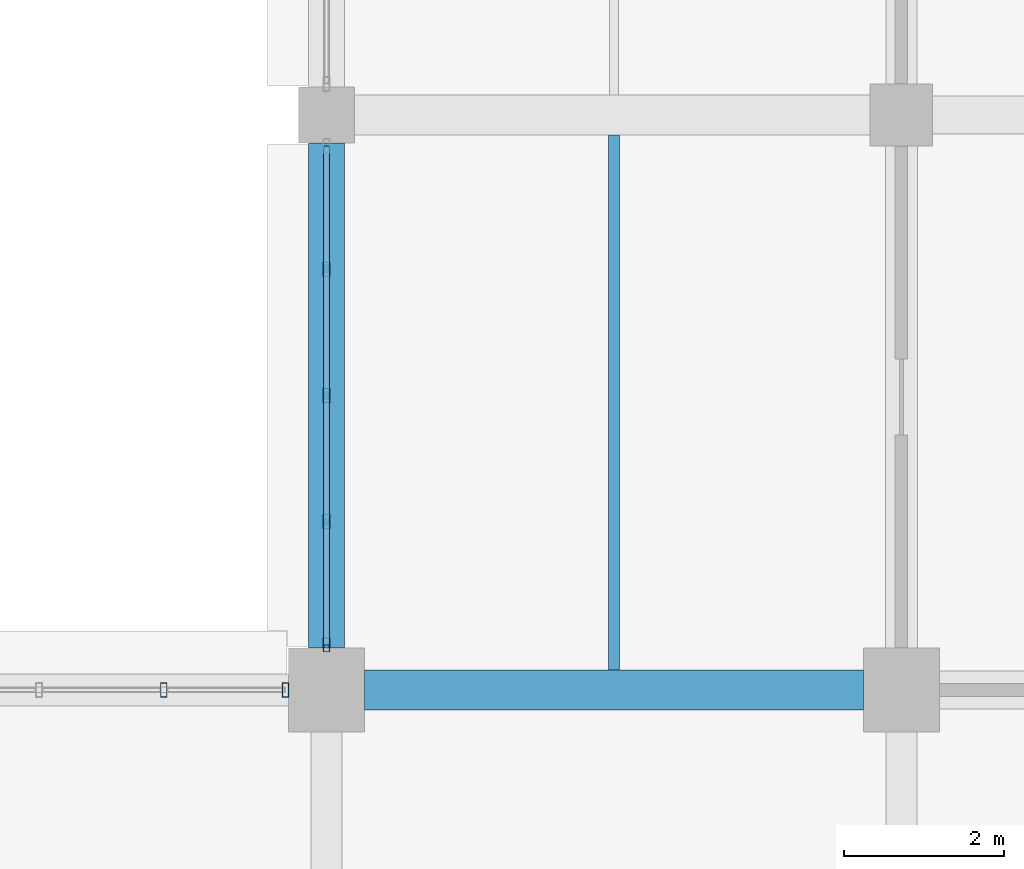
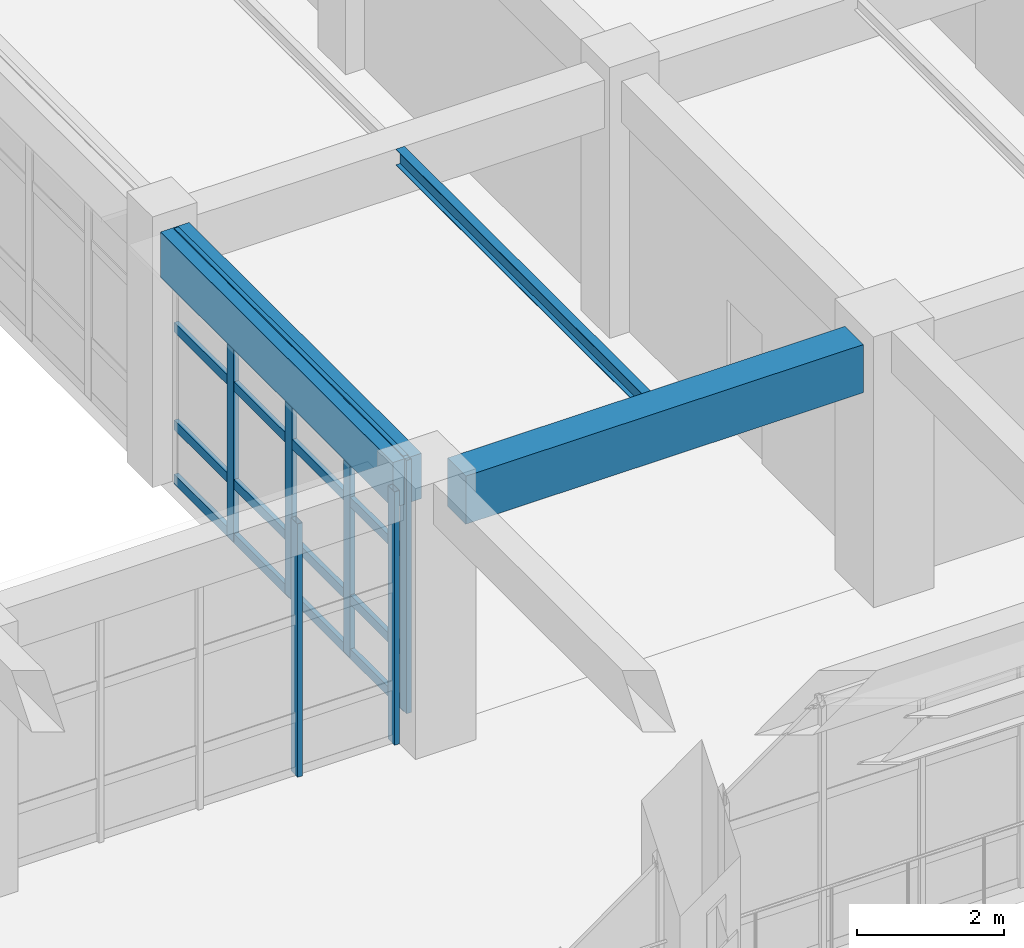
# One storey, part 97 of 171: 10 members, 3 beams, 2 elements without a shape of their own.
"""IFC4 building model written with IfcOpenShell, lengths in metres."""

from ifc_helpers import new_model, si_unit, direction, frame, origin, origin_2d, place, context, subcontext, project, spatial, rectangle, hollow_rectangle, i_section, extrude, material, material_profile, profile_set, type_object, element, aggregate, save


model = new_model("IFC4")

# Units and contexts
model_context = context("Model", 3, precision=1e-05, world=origin(), true_north=direction((0.0, 1.0)))
body_context = subcontext(model_context, "Body", "Model", "MODEL_VIEW")
ifc_project = project(units=[si_unit("LENGTHUNIT", "METRE"), si_unit("AREAUNIT", "SQUARE_METRE"), si_unit("VOLUMEUNIT", "CUBIC_METRE"), si_unit("PLANEANGLEUNIT", "RADIAN"), si_unit("MASSUNIT", "GRAM", prefix="KILO")], contexts=[model_context])

# Site, building, storey
site_placement = place(None, origin())
site = spatial("IfcSite", under=ifc_project, at=site_placement, CompositionType="ELEMENT")
building_placement = place(site_placement, origin())
building = spatial("IfcBuilding", under=site, at=building_placement, Name="Thalmaran Polytechnic", CompositionType="ELEMENT")
storey_placement = place(building_placement, frame((0.0, 0.0, 5.39990234375)))
storey = spatial("IfcBuildingStorey", under=building, at=storey_placement, Name="L01", CompositionType="ELEMENT", Elevation=5.39990234375)

# Beams
ifc_material_1 = material(Name="Concrete C40/50", Category="concrete")
ifc_material_profile_1 = material_profile(ifc_material_1, rectangle(XDim=0.5, YDim=0.800048828125, at=origin_2d()), Name="RC 500x800")
ifc_profile_set_1 = profile_set([ifc_material_profile_1], Name="Concrete C40/50")
beam_type_1 = type_object("IfcBeamType", Name="BM-RC02", PredefinedType="BEAM", material=ifc_profile_set_1)
beam_1_placement = place(storey_placement, frame((130.074951171875, 57.60009765625, 3.81005859375), z_axis=(1.0, 0.0, 0.0), x_axis=(0.0, 1.0, 0.0)))
element("IfcBeam", 1, at=beam_1_placement, inside=storey, type_object=beam_type_1, Name="Grid Beam B02 L01 X(18,8)", PredefinedType="BEAM", context=body_context, shape_type="SweptSolid", body=[
    extrude(rectangle(XDim=0.5, YDim=0.800048828125, at=origin_2d()), origin(), (0.0, 0.0, 1.0), 6.25),
])
ifc_material_2 = material(Name="Steel S355", Category="steel")
ifc_material_profile_2 = material_profile(ifc_material_2, i_section(OverallWidth=0.135009765625, OverallDepth=0.27001953125, WebThickness=0.006591796875, FlangeThickness=0.01025390625, at=origin_2d()), Name="IPE 270")
ifc_profile_set_2 = profile_set([ifc_material_profile_2], Name="Steel S355")
beam_type_2 = type_object("IfcBeamType", Name="BM-SJ03", PredefinedType="JOIST", material=ifc_profile_set_2)
beam_2_placement = place(storey_placement, frame((133.199951171875, 57.85009765625, 4.0751953125), z_axis=(0.0, 1.0, 0.0), x_axis=(-1.0, 0.0, 0.0)))
element("IfcBeam", 2, at=beam_2_placement, inside=storey, type_object=beam_type_2, Name="Secondary Floor Rib SJ03 L01 (18,8)", PredefinedType="JOIST", context=body_context, shape_type="SweptSolid", body=[
    extrude(i_section(OverallWidth=0.135009765625, OverallDepth=0.27001953125, WebThickness=0.006591796875, FlangeThickness=0.01025390625, at=origin_2d()), origin(), (0.0, 0.0, 1.0), 6.699951171875),
])
ifc_material_profile_3 = material_profile(ifc_material_1, rectangle(XDim=0.449951171875, YDim=0.7548828125, at=origin_2d()), Name="RC 450x755")
ifc_profile_set_3 = profile_set([ifc_material_profile_3], Name="Concrete C40/50")
beam_type_3 = type_object("IfcBeamType", Name="BM-SP02", PredefinedType="SPANDREL", material=ifc_profile_set_3)
beam_3_placement = place(storey_placement, frame((129.60009765625, 58.125, 3.83251953125), z_axis=(0.0, 1.0, 0.0), x_axis=(-1.0, 0.0, 0.0)))
element("IfcBeam", 3, at=beam_3_placement, inside=storey, type_object=beam_type_3, Name="Grid Beam SP02 L01 Y(18,8)", PredefinedType="SPANDREL", context=body_context, shape_type="SweptSolid", body=[
    extrude(rectangle(XDim=0.449951171875, YDim=0.7548828125, at=origin_2d()), origin(), (0.0, 0.0, 1.0), 6.324951171875),
])

# Curtain wall, members
ifc_material_3 = material(Name="Aluminium 6063-T6", Category="aluminium")
curtain_wall_type = type_object("IfcCurtainWallType", Name="CW-UC02", PredefinedType="USERDEFINED", material=ifc_material_3)
curtain_wall_1_placement = place(storey_placement, origin())
curtain_wall_1 = element("IfcCurtainWall", 4, at=curtain_wall_1_placement, inside=storey, type_object=curtain_wall_type, Name="Curtain Wall CW-L01-179", ObjectType="UNITISED CURTAIN WALL", PredefinedType="USERDEFINED")
ifc_material_profile_4 = material_profile(ifc_material_3, hollow_rectangle(XDim=0.080078125, YDim=0.179931640625, WallThickness=0.0048828125, at=origin_2d()), Name="RHS 180x80x5.0")
ifc_profile_set_4 = profile_set([ifc_material_profile_4], Name="Aluminium 6063-T6")
member_type_1 = type_object("IfcMemberType", Name="CW-MUL1", PredefinedType="MULLION", material=ifc_profile_set_4)
member_1_placement = place(storey_placement, frame((127.5625, 57.60009765625, 0.0), z_axis=(0.0, 0.0, 1.0), x_axis=(1.0, 0.0, 0.0)))
member_1 = element("IfcMember", 5, at=member_1_placement, type_object=member_type_1, Name="CW-L01-179 Mullion 4", PredefinedType="MULLION", context=body_context, shape_type="SweptSolid", body=[
    extrude(hollow_rectangle(XDim=0.080078125, YDim=0.179931640625, WallThickness=0.0048828125, at=origin_2d()), origin(), (0.0, 0.0, 1.0), 4.210205078125),
])
member_2_placement = place(storey_placement, frame((129.0849609375, 57.60009765625, 0.0), z_axis=(0.0, 0.0, 1.0), x_axis=(1.0, 0.0, 0.0)))
member_2 = element("IfcMember", 6, at=member_2_placement, type_object=member_type_1, Name="CW-L01-179 Mullion 5", PredefinedType="MULLION", context=body_context, shape_type="SweptSolid", body=[
    extrude(hollow_rectangle(XDim=0.080078125, YDim=0.179931640625, WallThickness=0.0048828125, at=origin_2d()), origin(), (0.0, 0.0, 1.0), 4.210205078125),
])
aggregate(curtain_wall_1, [member_1, member_2])

curtain_wall_2_placement = place(storey_placement, origin())
curtain_wall_2 = element("IfcCurtainWall", 7, at=curtain_wall_2_placement, inside=storey, type_object=curtain_wall_type, Name="Curtain Wall CW-L01-180", ObjectType="UNITISED CURTAIN WALL", PredefinedType="USERDEFINED")
member_3_placement = place(storey_placement, frame((129.60009765625, 58.1650390625, 0.0), z_axis=(0.0, 0.0, 1.0), x_axis=(1.0, 0.0, 0.0)))
member_3 = element("IfcMember", 8, at=member_3_placement, type_object=member_type_1, Name="CW-L01-180 Mullion 1", PredefinedType="MULLION", context=body_context, shape_type="SweptSolid", body=[
    extrude(hollow_rectangle(XDim=0.080078125, YDim=0.179931640625, WallThickness=0.0048828125, at=origin_2d()), origin(), (0.0, 0.0, 1.0), 4.210205078125),
])
member_4_placement = place(storey_placement, frame((129.60009765625, 59.706298828125, 0.0), z_axis=(0.0, 0.0, 1.0), x_axis=(1.0, 0.0, 0.0)))
member_4 = element("IfcMember", 9, at=member_4_placement, type_object=member_type_1, Name="CW-L01-180 Mullion 2", PredefinedType="MULLION", context=body_context, shape_type="SweptSolid", body=[
    extrude(hollow_rectangle(XDim=0.080078125, YDim=0.179931640625, WallThickness=0.0048828125, at=origin_2d()), origin(), (0.0, 0.0, 1.0), 4.210205078125),
])
member_5_placement = place(storey_placement, frame((129.60009765625, 61.28759765625, 0.0), z_axis=(0.0, 0.0, 1.0), x_axis=(1.0, 0.0, 0.0)))
member_5 = element("IfcMember", 10, at=member_5_placement, type_object=member_type_1, Name="CW-L01-180 Mullion 3", PredefinedType="MULLION", context=body_context, shape_type="SweptSolid", body=[
    extrude(hollow_rectangle(XDim=0.080078125, YDim=0.179931640625, WallThickness=0.0048828125, at=origin_2d()), origin(), (0.0, 0.0, 1.0), 4.210205078125),
])
member_6_placement = place(storey_placement, frame((129.60009765625, 62.86865234375, 0.0), z_axis=(0.0, 0.0, 1.0), x_axis=(1.0, 0.0, 0.0)))
member_6 = element("IfcMember", 11, at=member_6_placement, type_object=member_type_1, Name="CW-L01-180 Mullion 4", PredefinedType="MULLION", context=body_context, shape_type="SweptSolid", body=[
    extrude(hollow_rectangle(XDim=0.080078125, YDim=0.179931640625, WallThickness=0.0048828125, at=origin_2d()), origin(), (0.0, 0.0, 1.0), 4.210205078125),
])
ifc_material_profile_5 = material_profile(ifc_material_3, hollow_rectangle(XDim=0.070068359375, YDim=0.159912109375, WallThickness=0.00390625, at=origin_2d()), Name="AL 160x70x4.0")
ifc_profile_set_5 = profile_set([ifc_material_profile_5], Name="Aluminium 6063-T6")
member_type_2 = type_object("IfcMemberType", Name="CW-TRN1", PredefinedType="USERDEFINED", material=ifc_profile_set_5)
member_7_placement = place(storey_placement, frame((129.60009765625, 58.1650390625, 0.06005859375), z_axis=(0.0, 1.0, 0.0), x_axis=(-1.0, 0.0, 0.0)))
member_7 = element("IfcMember", 12, at=member_7_placement, type_object=member_type_2, Name="CW-L01-180 Transom 1", ObjectType="TRANSOM", PredefinedType="USERDEFINED", context=body_context, shape_type="SweptSolid", body=[
    extrude(hollow_rectangle(XDim=0.070068359375, YDim=0.159912109375, WallThickness=0.00390625, at=origin_2d()), origin(), (0.0, 0.0, 1.0), 6.244873046875),
])
member_8_placement = place(storey_placement, frame((129.60009765625, 58.1650390625, 0.960205078125), z_axis=(0.0, 1.0, 0.0), x_axis=(-1.0, 0.0, 0.0)))
member_8 = element("IfcMember", 13, at=member_8_placement, type_object=member_type_2, Name="CW-L01-180 Transom 2", ObjectType="TRANSOM", PredefinedType="USERDEFINED", context=body_context, shape_type="SweptSolid", body=[
    extrude(hollow_rectangle(XDim=0.070068359375, YDim=0.159912109375, WallThickness=0.00390625, at=origin_2d()), origin(), (0.0, 0.0, 1.0), 6.244873046875),
])
member_9_placement = place(storey_placement, frame((129.60009765625, 58.1650390625, 2.585205078125), z_axis=(0.0, 1.0, 0.0), x_axis=(-1.0, 0.0, 0.0)))
member_9 = element("IfcMember", 14, at=member_9_placement, type_object=member_type_2, Name="CW-L01-180 Transom 3", ObjectType="TRANSOM", PredefinedType="USERDEFINED", context=body_context, shape_type="SweptSolid", body=[
    extrude(hollow_rectangle(XDim=0.070068359375, YDim=0.159912109375, WallThickness=0.00390625, at=origin_2d()), origin(), (0.0, 0.0, 1.0), 6.244873046875),
])
member_10_placement = place(storey_placement, frame((129.60009765625, 58.1650390625, 4.150146484375), z_axis=(0.0, 1.0, 0.0), x_axis=(-1.0, 0.0, 0.0)))
member_10 = element("IfcMember", 15, at=member_10_placement, type_object=member_type_2, Name="CW-L01-180 Transom 4", ObjectType="TRANSOM", PredefinedType="USERDEFINED", context=body_context, shape_type="SweptSolid", body=[
    extrude(hollow_rectangle(XDim=0.070068359375, YDim=0.159912109375, WallThickness=0.00390625, at=origin_2d()), origin(), (0.0, 0.0, 1.0), 6.244873046875),
])
aggregate(curtain_wall_2, [member_3, member_4, member_5, member_6, member_7, member_8, member_9, member_10])

save(model, "model.ifc")
